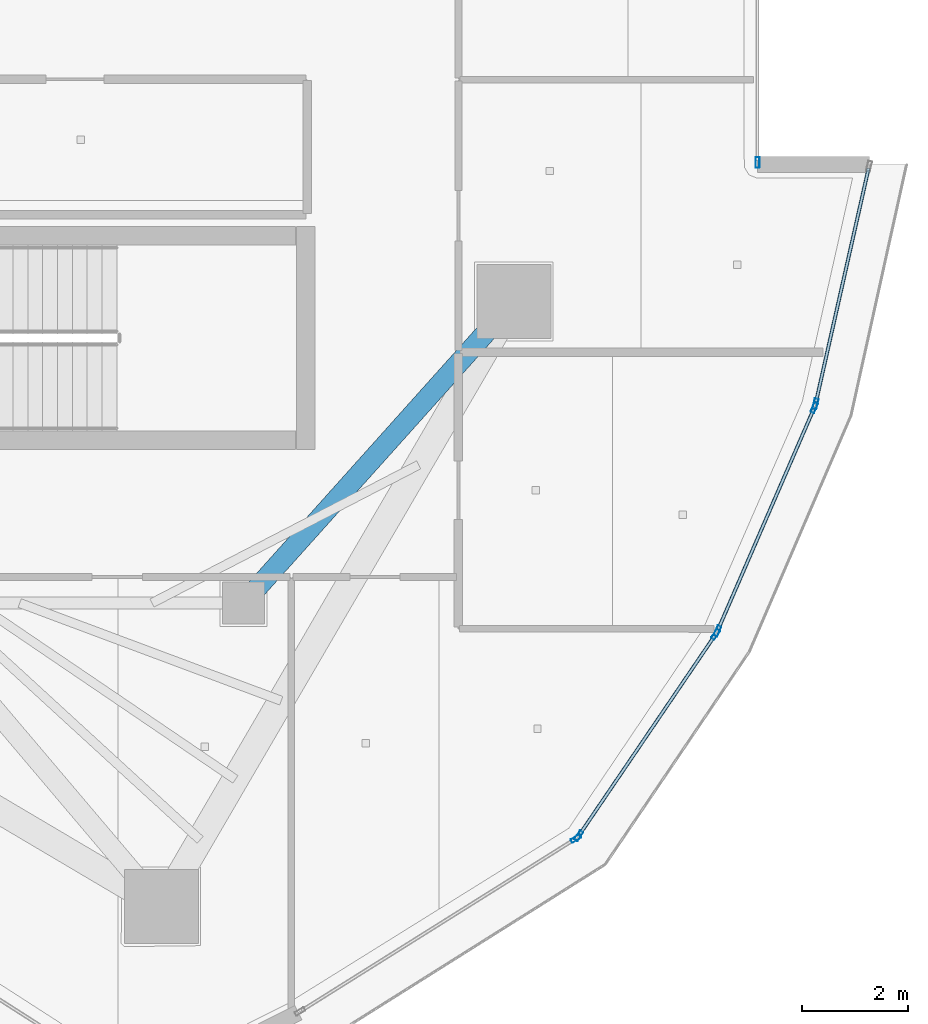
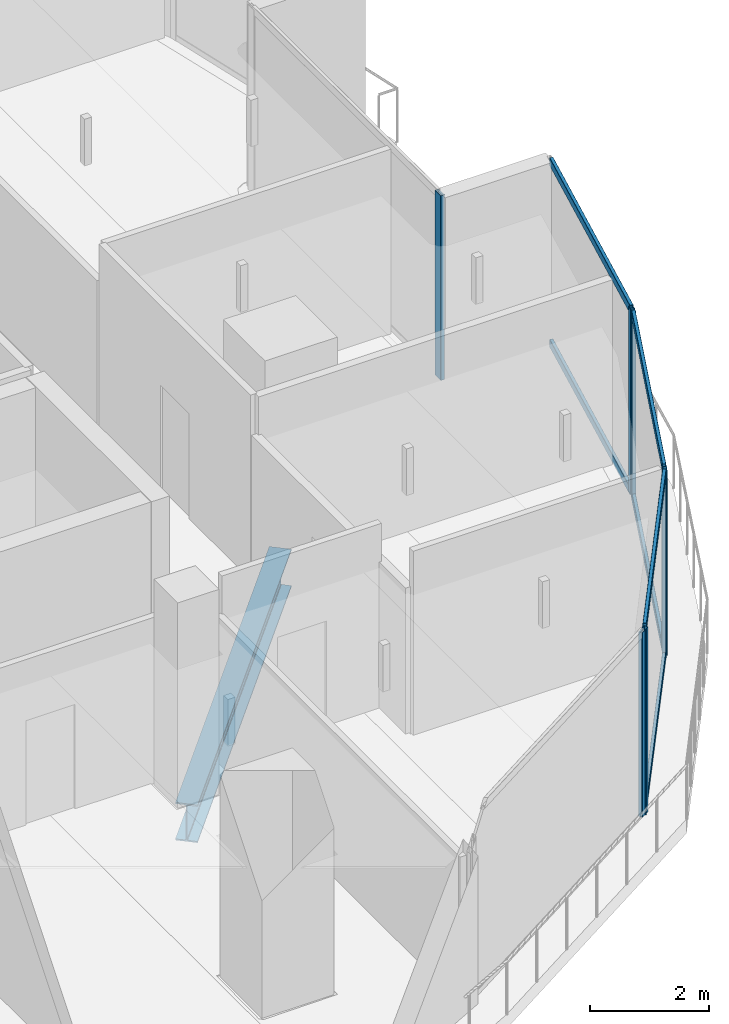
# One storey, part 11 of 26: 13 members, 1 beam, 5 elements without a shape of their own.
"""IFC4 building model written with IfcOpenShell, lengths in metres."""

from ifc_helpers import new_model, si_unit, direction, frame, origin, origin_2d, place, context, subcontext, project, spatial, hollow_rectangle, i_section, extrude, material, layer, layer_set, material_profile, profile_set, type_object, element, aggregate, save


model = new_model("IFC4")

# Units and contexts
model_context = context("Model", 3, precision=1e-05, world=origin(), true_north=direction((0.0, 1.0)))
body_context = subcontext(model_context, "Body", "Model", "MODEL_VIEW")
ifc_project = project(units=[si_unit("LENGTHUNIT", "METRE"), si_unit("AREAUNIT", "SQUARE_METRE"), si_unit("VOLUMEUNIT", "CUBIC_METRE"), si_unit("PLANEANGLEUNIT", "RADIAN"), si_unit("MASSUNIT", "GRAM", prefix="KILO")], contexts=[model_context])

# Site, building, storey
site_placement = place(None, origin())
site = spatial("IfcSite", under=ifc_project, at=site_placement, CompositionType="ELEMENT")
building_placement = place(site_placement, origin())
building = spatial("IfcBuilding", under=site, at=building_placement, Name="Qorvath Tower", CompositionType="ELEMENT")
storey_placement = place(building_placement, frame((0.0, 0.0, 322.800048828125)))
storey = spatial("IfcBuildingStorey", under=building, at=storey_placement, Name="L75", CompositionType="ELEMENT", Elevation=322.800048828125)

# Beam
ifc_material_1 = material(Name="Steel ASTM A992 Grade 50", Category="steel")
ifc_material_profile_1 = material_profile(ifc_material_1, i_section(OverallWidth=0.381103515625, OverallDepth=0.77294921875, WebThickness=0.0166015625, FlangeThickness=0.027099609375, FilletRadius=0.01904296875, at=origin_2d()), Name="W30x173")
ifc_profile_set_1 = profile_set([ifc_material_profile_1], Name="Steel ASTM A992 Grade 50")
beam_type = type_object("IfcBeamType", Name="BM-FG3", PredefinedType="BEAM", material=ifc_profile_set_1)
beam_placement = place(storey_placement, frame((-17.199951171875, -11.449951171875, -0.676513671875), z_axis=(0.667543184261, 0.744571082669, 0.0), x_axis=(-0.744571082669, 0.667543184261, 0.0)))
element("IfcBeam", 1, at=beam_placement, inside=storey, type_object=beam_type, Name="Radial Floor Girder CC3-MC4 L75", PredefinedType="BEAM", context=body_context, shape_type="SweptSolid", body=[
    extrude(i_section(OverallWidth=0.381103515625, OverallDepth=0.77294921875, WebThickness=0.0166015625, FlangeThickness=0.027099609375, FilletRadius=0.01904296875, at=origin_2d()), origin(), (0.0, 0.0, 1.0), 7.644775390625),
])

# Curtain wall, member
ifc_material_2 = material(Name="Anodised aluminium and triple low-E glass", Category="aluminium")
ifc_layer = layer(ifc_material_2, 0.179931640625)
ifc_layer_set = layer_set([ifc_layer], Name="CW-SYS-4")
curtain_wall_type = type_object("IfcCurtainWallType", Name="CW-SYS-4", PredefinedType="NOTDEFINED", material=ifc_layer_set)
curtain_wall_1_placement = place(storey_placement, origin())
curtain_wall_1 = element("IfcCurtainWall", 2, at=curtain_wall_1_placement, inside=storey, type_object=curtain_wall_type, Name="Curtain Wall CW-4 CW-T-L75-4.1", PredefinedType="NOTDEFINED")
ifc_material_3 = material(Name="Anodised aluminium 6063-T6", Category="aluminium")
ifc_material_profile_2 = material_profile(ifc_material_3, hollow_rectangle(XDim=0.074951171875, YDim=0.199951171875, WallThickness=0.00390625, InnerFilletRadius=0.00390625, OuterFilletRadius=0.008056640625, at=origin_2d()), Name="CWM 200x75")
ifc_profile_set_2 = profile_set([ifc_material_profile_2], Name="Anodised aluminium 6063-T6")
member_type_1 = type_object("IfcMemberType", Name="CWM-200", PredefinedType="MULLION", material=ifc_profile_set_2)
member_1_placement = place(storey_placement, frame((-10.92529296875, -15.89501953125, 0.0), z_axis=(0.0, 0.0, 1.0), x_axis=(-0.531308786661, 0.847178241704, 0.0)))
member_1 = element("IfcMember", 3, at=member_1_placement, type_object=member_type_1, Name="CW-4 mullion 2", PredefinedType="MULLION", context=body_context, shape_type="SweptSolid", body=[
    extrude(hollow_rectangle(XDim=0.074951171875, YDim=0.199951171875, WallThickness=0.00390625, InnerFilletRadius=0.00390625, OuterFilletRadius=0.008056640625, at=origin_2d()), origin(), (0.0, 0.0, 1.0), 3.780029296875),
])
aggregate(curtain_wall_1, [member_1])

# Curtain wall, members
curtain_wall_2_placement = place(storey_placement, origin())
curtain_wall_2 = element("IfcCurtainWall", 4, at=curtain_wall_2_placement, inside=storey, type_object=curtain_wall_type, Name="Curtain Wall CW-4 CW-T-L75-5.1", PredefinedType="NOTDEFINED")
member_2_placement = place(storey_placement, frame((-10.87255859375, -15.843994140625, 0.0), z_axis=(0.0, 0.0, 1.0), x_axis=(-0.827030019588, 0.56215775962, 0.0)))
member_2 = element("IfcMember", 5, at=member_2_placement, type_object=member_type_1, Name="CW-4 mullion 1", PredefinedType="MULLION", context=body_context, shape_type="SweptSolid", body=[
    extrude(hollow_rectangle(XDim=0.074951171875, YDim=0.199951171875, WallThickness=0.00390625, InnerFilletRadius=0.00390625, OuterFilletRadius=0.008056640625, at=origin_2d()), origin(), (0.0, 0.0, 1.0), 3.780029296875),
])
member_3_placement = place(storey_placement, frame((-8.288818359375, -12.04296875, 0.0), z_axis=(0.0, 0.0, 1.0), x_axis=(-0.827030019588, 0.56215775962, 0.0)))
member_3 = element("IfcMember", 6, at=member_3_placement, type_object=member_type_1, Name="CW-4 mullion 2", PredefinedType="MULLION", context=body_context, shape_type="SweptSolid", body=[
    extrude(hollow_rectangle(XDim=0.074951171875, YDim=0.199951171875, WallThickness=0.00390625, InnerFilletRadius=0.00390625, OuterFilletRadius=0.008056640625, at=origin_2d()), origin(), (0.0, 0.0, 1.0), 3.780029296875),
])

curtain_wall_3_placement = place(storey_placement, origin())
curtain_wall_3 = element("IfcCurtainWall", 7, at=curtain_wall_3_placement, inside=storey, type_object=curtain_wall_type, Name="Curtain Wall CW-4 CW-T-L75-6.1", PredefinedType="NOTDEFINED")
member_4_placement = place(storey_placement, frame((-8.2529296875, -11.9775390625, 0.0), z_axis=(0.0, 0.0, 1.0), x_axis=(-0.917439987233, 0.397874188439, 0.0)))
member_4 = element("IfcMember", 8, at=member_4_placement, type_object=member_type_1, Name="CW-4 mullion 1", PredefinedType="MULLION", context=body_context, shape_type="SweptSolid", body=[
    extrude(hollow_rectangle(XDim=0.074951171875, YDim=0.199951171875, WallThickness=0.00390625, InnerFilletRadius=0.00390625, OuterFilletRadius=0.008056640625, at=origin_2d()), origin(), (0.0, 0.0, 1.0), 3.780029296875),
])
member_5_placement = place(storey_placement, frame((-6.42431640625, -7.76123046875, 0.0), z_axis=(0.0, 0.0, 1.0), x_axis=(-0.917439987233, 0.397874188439, 0.0)))
member_5 = element("IfcMember", 9, at=member_5_placement, type_object=member_type_1, Name="CW-4 mullion 2", PredefinedType="MULLION", context=body_context, shape_type="SweptSolid", body=[
    extrude(hollow_rectangle(XDim=0.074951171875, YDim=0.199951171875, WallThickness=0.00390625, InnerFilletRadius=0.00390625, OuterFilletRadius=0.008056640625, at=origin_2d()), origin(), (0.0, 0.0, 1.0), 3.780029296875),
])

# Curtain wall, member
curtain_wall_4_placement = place(storey_placement, origin())
curtain_wall_4 = element("IfcCurtainWall", 10, at=curtain_wall_4_placement, inside=storey, type_object=curtain_wall_type, Name="Curtain Wall CW-4 CW-T-L75-7.1", PredefinedType="NOTDEFINED")
member_6_placement = place(storey_placement, frame((-6.401123046875, -7.690185546875, 0.0), z_axis=(0.0, 0.0, 1.0), x_axis=(-0.975582353762, 0.219633947805, 0.0)))
member_6 = element("IfcMember", 11, at=member_6_placement, type_object=member_type_1, Name="CW-4 mullion 1", PredefinedType="MULLION", context=body_context, shape_type="SweptSolid", body=[
    extrude(hollow_rectangle(XDim=0.074951171875, YDim=0.199951171875, WallThickness=0.00390625, InnerFilletRadius=0.00390625, OuterFilletRadius=0.008056640625, at=origin_2d()), origin(), (0.0, 0.0, 1.0), 3.780029296875),
])

curtain_wall_5_placement = place(storey_placement, origin())
curtain_wall_5 = element("IfcCurtainWall", 12, at=curtain_wall_5_placement, inside=storey, type_object=curtain_wall_type, Name="Curtain Wall CW-4 CW-T-L75-9.1", PredefinedType="NOTDEFINED")
member_7_placement = place(storey_placement, frame((-7.496826171875, -3.13232421875, 0.0), z_axis=(0.0, 0.0, 1.0), x_axis=(-1.0, 0.0, 0.0)))
member_7 = element("IfcMember", 13, at=member_7_placement, type_object=member_type_1, Name="CW-4 mullion 1", PredefinedType="MULLION", context=body_context, shape_type="SweptSolid", body=[
    extrude(hollow_rectangle(XDim=0.074951171875, YDim=0.199951171875, WallThickness=0.00390625, InnerFilletRadius=0.00390625, OuterFilletRadius=0.008056640625, at=origin_2d()), origin(), (0.0, 0.0, 1.0), 3.780029296875),
])
aggregate(curtain_wall_5, [member_7])

# Member
ifc_material_4 = material(Name="Anodised aluminium 6063-T6", Category="aluminium")
ifc_material_profile_3 = material_profile(ifc_material_4, hollow_rectangle(XDim=0.06494140625, YDim=0.159912109375, WallThickness=0.00341796875, InnerFilletRadius=0.00341796875, OuterFilletRadius=0.007080078125, at=origin_2d()), Name="CWT 160x65")
ifc_profile_set_3 = profile_set([ifc_material_profile_3], Name="Anodised aluminium 6063-T6")
member_type_2 = type_object("IfcMemberType", Name="CWT-160", PredefinedType="USERDEFINED", material=ifc_profile_set_3)
member_8_placement = place(storey_placement, frame((-10.851318359375, -15.81298828125, 0.032470703125), z_axis=(0.562117982192, 0.827057056131, 0.0), x_axis=(-0.827057056131, 0.562117982192, 0.0)))
member_8 = element("IfcMember", 14, at=member_8_placement, type_object=member_type_2, Name="CW-4 transom 1.1", ObjectType="TRANSOM", PredefinedType="USERDEFINED", context=body_context, shape_type="SweptSolid", body=[
    extrude(hollow_rectangle(XDim=0.06494140625, YDim=0.159912109375, WallThickness=0.00341796875, InnerFilletRadius=0.00341796875, OuterFilletRadius=0.007080078125, at=origin_2d()), origin(), (0.0, 0.0, 1.0), 4.520751953125),
])

member_9_placement = place(storey_placement, frame((-10.851318359375, -15.81298828125, 3.74755859375), z_axis=(0.562117982192, 0.827057056131, 0.0), x_axis=(-0.827057056131, 0.562117982192, 0.0)))
member_9 = element("IfcMember", 15, at=member_9_placement, type_object=member_type_2, Name="CW-4 transom 1.2", ObjectType="TRANSOM", PredefinedType="USERDEFINED", context=body_context, shape_type="SweptSolid", body=[
    extrude(hollow_rectangle(XDim=0.06494140625, YDim=0.159912109375, WallThickness=0.00341796875, InnerFilletRadius=0.00341796875, OuterFilletRadius=0.007080078125, at=origin_2d()), origin(), (0.0, 0.0, 1.0), 4.520751953125),
])

aggregate(curtain_wall_2, [member_2, member_3, member_8, member_9])

member_10_placement = place(storey_placement, frame((-8.238037109375, -11.943115234375, 0.032470703125), z_axis=(0.397904466293, 0.917426855779, 0.0), x_axis=(-0.917426855779, 0.397904466293, 0.0)))
member_10 = element("IfcMember", 16, at=member_10_placement, type_object=member_type_2, Name="CW-4 transom 1.1", ObjectType="TRANSOM", PredefinedType="USERDEFINED", context=body_context, shape_type="SweptSolid", body=[
    extrude(hollow_rectangle(XDim=0.06494140625, YDim=0.159912109375, WallThickness=0.00341796875, InnerFilletRadius=0.00341796875, OuterFilletRadius=0.007080078125, at=origin_2d()), origin(), (0.0, 0.0, 1.0), 4.520751953125),
])

member_11_placement = place(storey_placement, frame((-8.238037109375, -11.943115234375, 3.74755859375), z_axis=(0.397904466293, 0.917426855779, 0.0), x_axis=(-0.917426855779, 0.397904466293, 0.0)))
member_11 = element("IfcMember", 17, at=member_11_placement, type_object=member_type_2, Name="CW-4 transom 1.2", ObjectType="TRANSOM", PredefinedType="USERDEFINED", context=body_context, shape_type="SweptSolid", body=[
    extrude(hollow_rectangle(XDim=0.06494140625, YDim=0.159912109375, WallThickness=0.00341796875, InnerFilletRadius=0.00341796875, OuterFilletRadius=0.007080078125, at=origin_2d()), origin(), (0.0, 0.0, 1.0), 4.520751953125),
])

aggregate(curtain_wall_3, [member_4, member_5, member_10, member_11])

member_12_placement = place(storey_placement, frame((-6.392822265625, -7.653564453125, 0.032470703125), z_axis=(0.219634272645, 0.97558228063, 0.0), x_axis=(-0.97558228063, 0.219634272645, 0.0)))
member_12 = element("IfcMember", 18, at=member_12_placement, type_object=member_type_2, Name="CW-4 transom 1.1", ObjectType="TRANSOM", PredefinedType="USERDEFINED", context=body_context, shape_type="SweptSolid", body=[
    extrude(hollow_rectangle(XDim=0.06494140625, YDim=0.159912109375, WallThickness=0.00341796875, InnerFilletRadius=0.00341796875, OuterFilletRadius=0.007080078125, at=origin_2d()), origin(), (0.0, 0.0, 1.0), 4.520751953125),
])

member_13_placement = place(storey_placement, frame((-6.392822265625, -7.653564453125, 3.74755859375), z_axis=(0.219634272645, 0.97558228063, 0.0), x_axis=(-0.97558228063, 0.219634272645, 0.0)))
member_13 = element("IfcMember", 19, at=member_13_placement, type_object=member_type_2, Name="CW-4 transom 1.2", ObjectType="TRANSOM", PredefinedType="USERDEFINED", context=body_context, shape_type="SweptSolid", body=[
    extrude(hollow_rectangle(XDim=0.06494140625, YDim=0.159912109375, WallThickness=0.00341796875, InnerFilletRadius=0.00341796875, OuterFilletRadius=0.007080078125, at=origin_2d()), origin(), (0.0, 0.0, 1.0), 4.520751953125),
])

aggregate(curtain_wall_4, [member_6, member_12, member_13])

save(model, "model.ifc")
